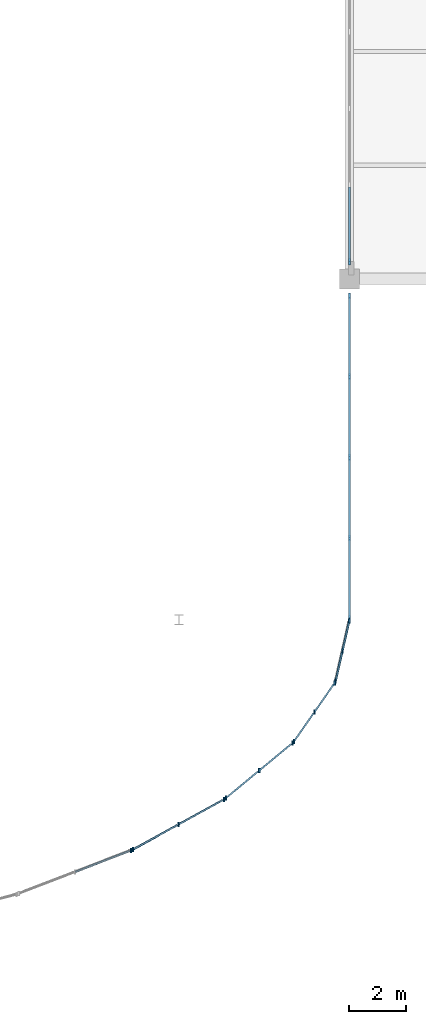
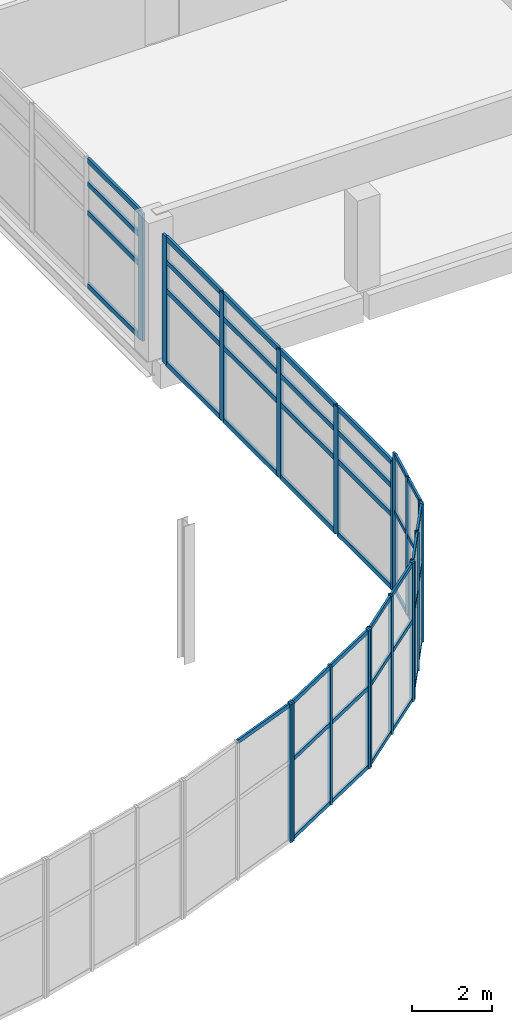
# One storey, part 44 of 89: 64 members, 7 elements without a shape of their own.
"""IFC4 building model written with IfcOpenShell, lengths in metres."""

from ifc_helpers import new_model, si_unit, direction, frame, origin, origin_2d, place, context, subcontext, project, spatial, rectangle, extrude, material, material_profile, profile_set, type_object, element, aggregate, save


model = new_model("IFC4")

# Units and contexts
model_context = context("Model", 3, precision=1e-05, world=origin(), true_north=direction((0.0, 1.0)))
body_context = subcontext(model_context, "Body", "Model", "MODEL_VIEW")
ifc_project = project(units=[si_unit("LENGTHUNIT", "METRE"), si_unit("AREAUNIT", "SQUARE_METRE"), si_unit("VOLUMEUNIT", "CUBIC_METRE"), si_unit("PLANEANGLEUNIT", "RADIAN"), si_unit("MASSUNIT", "GRAM", prefix="KILO"), si_unit("THERMODYNAMICTEMPERATUREUNIT", "KELVIN"), si_unit("POWERUNIT", "WATT")], contexts=[model_context])

# Site, building, storey
site_placement = place(None, origin())
site = spatial("IfcSite", under=ifc_project, at=site_placement, CompositionType="ELEMENT")
building_placement = place(site_placement, origin())
building = spatial("IfcBuilding", under=site, at=building_placement, Name="Solmara Park Aquatics Centre", CompositionType="ELEMENT")
storey_placement = place(building_placement, frame((0.0, 0.0, 5.39990234375)))
storey = spatial("IfcBuildingStorey", under=building, at=storey_placement, Name="L01", CompositionType="ELEMENT", Elevation=5.39990234375)

# Curtain wall, member
ifc_material_1 = material(Name="Anodised Aluminium Curtain Wall Framing", Category="aluminium")
curtain_wall_type_1 = type_object("IfcCurtainWallType", Name="ARC-CW-SYS04", PredefinedType="USERDEFINED", material=ifc_material_1)
curtain_wall_1_placement = place(storey_placement, origin())
curtain_wall_1 = element("IfcCurtainWall", 1, at=curtain_wall_1_placement, inside=storey, type_object=curtain_wall_type_1, Name="Curtain Wall CW-059", ObjectType="CURTAIN WALL", PredefinedType="USERDEFINED")
ifc_material_2 = material(Name="Anodised Aluminium Alloy 6063-T6", Category="aluminium")
ifc_material_profile_1 = material_profile(ifc_material_2, rectangle(XDim=0.06005859375, YDim=0.159912109375, at=origin_2d()), Name="ALU MULLION 60x160")
ifc_profile_set_1 = profile_set([ifc_material_profile_1], Name="Anodised Aluminium Alloy 6063-T6")
member_type_1 = type_object("IfcMemberType", Name="ARC-CWM-60x160", PredefinedType="MULLION", material=ifc_profile_set_1)
member_1_placement = place(storey_placement, frame((154.3125, 4.486572265625, 0.0), z_axis=(0.0, 0.0, 1.0), x_axis=(1.0, 0.0, 0.0)))
member_1 = element("IfcMember", 2, at=member_1_placement, type_object=member_type_1, Name="CW-059 mullion 3", PredefinedType="MULLION", context=body_context, shape_type="SweptSolid", body=[
    extrude(rectangle(XDim=0.06005859375, YDim=0.159912109375, at=origin_2d()), origin(), (0.0, 0.0, 1.0), 4.2001953125),
])

# Curtain wall, members
curtain_wall_2_placement = place(storey_placement, origin())
curtain_wall_2 = element("IfcCurtainWall", 3, at=curtain_wall_2_placement, inside=storey, type_object=curtain_wall_type_1, Name="Curtain Wall CW-062", ObjectType="CURTAIN WALL", PredefinedType="USERDEFINED")
member_2_placement = place(storey_placement, frame((154.384765625, 4.520263671875, 0.0), z_axis=(0.0, 0.0, 1.0), x_axis=(1.0, 0.0, 0.0)))
member_2 = element("IfcMember", 4, at=member_2_placement, type_object=member_type_1, Name="CW-062 mullion 1", PredefinedType="MULLION", context=body_context, shape_type="SweptSolid", body=[
    extrude(rectangle(XDim=0.06005859375, YDim=0.159912109375, at=origin_2d()), origin(), (0.0, 0.0, 1.0), 4.2001953125),
])
member_3_placement = place(storey_placement, frame((155.984375, 5.400390625, 0.0), z_axis=(0.0, 0.0, 1.0), x_axis=(1.0, 0.0, 0.0)))
member_3 = element("IfcMember", 5, at=member_3_placement, type_object=member_type_1, Name="CW-062 mullion 2", PredefinedType="MULLION", context=body_context, shape_type="SweptSolid", body=[
    extrude(rectangle(XDim=0.06005859375, YDim=0.159912109375, at=origin_2d()), origin(), (0.0, 0.0, 1.0), 4.2001953125),
])
member_4_placement = place(storey_placement, frame((157.583984375, 6.28076171875, 0.0), z_axis=(0.0, 0.0, 1.0), x_axis=(1.0, 0.0, 0.0)))
member_4 = element("IfcMember", 6, at=member_4_placement, type_object=member_type_1, Name="CW-062 mullion 3", PredefinedType="MULLION", context=body_context, shape_type="SweptSolid", body=[
    extrude(rectangle(XDim=0.06005859375, YDim=0.159912109375, at=origin_2d()), origin(), (0.0, 0.0, 1.0), 4.2001953125),
])

curtain_wall_3_placement = place(storey_placement, origin())
curtain_wall_3 = element("IfcCurtainWall", 7, at=curtain_wall_3_placement, inside=storey, type_object=curtain_wall_type_1, Name="Curtain Wall CW-065", ObjectType="CURTAIN WALL", PredefinedType="USERDEFINED")
member_5_placement = place(storey_placement, frame((157.64990234375, 6.325439453125, 0.0), z_axis=(0.0, 0.0, 1.0), x_axis=(1.0, 0.0, 0.0)))
member_5 = element("IfcMember", 8, at=member_5_placement, type_object=member_type_1, Name="CW-065 mullion 1", PredefinedType="MULLION", context=body_context, shape_type="SweptSolid", body=[
    extrude(rectangle(XDim=0.06005859375, YDim=0.159912109375, at=origin_2d()), origin(), (0.0, 0.0, 1.0), 4.2001953125),
])
member_6_placement = place(storey_placement, frame((158.823486328125, 7.29541015625, 0.0), z_axis=(0.0, 0.0, 1.0), x_axis=(1.0, 0.0, 0.0)))
member_6 = element("IfcMember", 9, at=member_6_placement, type_object=member_type_1, Name="CW-065 mullion 2", PredefinedType="MULLION", context=body_context, shape_type="SweptSolid", body=[
    extrude(rectangle(XDim=0.06005859375, YDim=0.159912109375, at=origin_2d()), origin(), (0.0, 0.0, 1.0), 4.2001953125),
])
member_7_placement = place(storey_placement, frame((159.9970703125, 8.264892578125, 0.0), z_axis=(0.0, 0.0, 1.0), x_axis=(1.0, 0.0, 0.0)))
member_7 = element("IfcMember", 10, at=member_7_placement, type_object=member_type_1, Name="CW-065 mullion 3", PredefinedType="MULLION", context=body_context, shape_type="SweptSolid", body=[
    extrude(rectangle(XDim=0.06005859375, YDim=0.159912109375, at=origin_2d()), origin(), (0.0, 0.0, 1.0), 4.2001953125),
])

curtain_wall_4_placement = place(storey_placement, origin())
curtain_wall_4 = element("IfcCurtainWall", 11, at=curtain_wall_4_placement, inside=storey, type_object=curtain_wall_type_1, Name="Curtain Wall CW-068", ObjectType="CURTAIN WALL", PredefinedType="USERDEFINED")
member_8_placement = place(storey_placement, frame((160.05078125, 8.3232421875, 0.0), z_axis=(0.0, 0.0, 1.0), x_axis=(1.0, 0.0, 0.0)))
member_8 = element("IfcMember", 12, at=member_8_placement, type_object=member_type_1, Name="CW-068 mullion 1", PredefinedType="MULLION", context=body_context, shape_type="SweptSolid", body=[
    extrude(rectangle(XDim=0.06005859375, YDim=0.159912109375, at=origin_2d()), origin(), (0.0, 0.0, 1.0), 4.2001953125),
])
member_9_placement = place(storey_placement, frame((160.765380859375, 9.351318359375, 0.0), z_axis=(0.0, 0.0, 1.0), x_axis=(1.0, 0.0, 0.0)))
member_9 = element("IfcMember", 13, at=member_9_placement, type_object=member_type_1, Name="CW-068 mullion 2", PredefinedType="MULLION", context=body_context, shape_type="SweptSolid", body=[
    extrude(rectangle(XDim=0.06005859375, YDim=0.159912109375, at=origin_2d()), origin(), (0.0, 0.0, 1.0), 4.2001953125),
])
member_10_placement = place(storey_placement, frame((161.48046875, 10.379150390625, 0.0), z_axis=(0.0, 0.0, 1.0), x_axis=(1.0, 0.0, 0.0)))
member_10 = element("IfcMember", 14, at=member_10_placement, type_object=member_type_1, Name="CW-068 mullion 3", PredefinedType="MULLION", context=body_context, shape_type="SweptSolid", body=[
    extrude(rectangle(XDim=0.06005859375, YDim=0.159912109375, at=origin_2d()), origin(), (0.0, 0.0, 1.0), 4.2001953125),
])

curtain_wall_5_placement = place(storey_placement, origin())
curtain_wall_5 = element("IfcCurtainWall", 15, at=curtain_wall_5_placement, inside=storey, type_object=curtain_wall_type_1, Name="Curtain Wall CW-071", ObjectType="CURTAIN WALL", PredefinedType="USERDEFINED")
member_11_placement = place(storey_placement, frame((161.51220703125, 10.450927734375, 0.0), z_axis=(0.0, 0.0, 1.0), x_axis=(1.0, 0.0, 0.0)))
member_11 = element("IfcMember", 16, at=member_11_placement, type_object=member_type_1, Name="CW-071 mullion 1", PredefinedType="MULLION", context=body_context, shape_type="SweptSolid", body=[
    extrude(rectangle(XDim=0.06005859375, YDim=0.159912109375, at=origin_2d()), origin(), (0.0, 0.0, 1.0), 4.2001953125),
])
member_12_placement = place(storey_placement, frame((161.751708984375, 11.506103515625, 0.0), z_axis=(0.0, 0.0, 1.0), x_axis=(1.0, 0.0, 0.0)))
member_12 = element("IfcMember", 17, at=member_12_placement, type_object=member_type_1, Name="CW-071 mullion 2", PredefinedType="MULLION", context=body_context, shape_type="SweptSolid", body=[
    extrude(rectangle(XDim=0.06005859375, YDim=0.159912109375, at=origin_2d()), origin(), (0.0, 0.0, 1.0), 4.2001953125),
])
member_13_placement = place(storey_placement, frame((161.9912109375, 12.56103515625, 0.0), z_axis=(0.0, 0.0, 1.0), x_axis=(1.0, 0.0, 0.0)))
member_13 = element("IfcMember", 18, at=member_13_placement, type_object=member_type_1, Name="CW-071 mullion 3", PredefinedType="MULLION", context=body_context, shape_type="SweptSolid", body=[
    extrude(rectangle(XDim=0.06005859375, YDim=0.159912109375, at=origin_2d()), origin(), (0.0, 0.0, 1.0), 4.2001953125),
])

curtain_wall_type_2 = type_object("IfcCurtainWallType", Name="ARC-CW-SYS03", PredefinedType="USERDEFINED", material=ifc_material_1)
curtain_wall_6_placement = place(storey_placement, origin())
curtain_wall_6 = element("IfcCurtainWall", 19, at=curtain_wall_6_placement, inside=storey, type_object=curtain_wall_type_2, Name="Curtain Wall CW-075", ObjectType="CURTAIN WALL", PredefinedType="USERDEFINED")
ifc_material_profile_2 = material_profile(ifc_material_2, rectangle(XDim=0.074951171875, YDim=0.219970703125, at=origin_2d()), Name="ALU MULLION 75x220")
ifc_profile_set_2 = profile_set([ifc_material_profile_2], Name="Anodised Aluminium Alloy 6063-T6")
member_type_2 = type_object("IfcMemberType", Name="ARC-CWM-75x220", PredefinedType="MULLION", material=ifc_profile_set_2)
member_14_placement = place(storey_placement, frame((162.0, 12.639892578125, 0.0), z_axis=(0.0, 0.0, 1.0), x_axis=(1.0, 0.0, 0.0)))
member_14 = element("IfcMember", 20, at=member_14_placement, type_object=member_type_2, Name="CW-075 mullion 1", PredefinedType="MULLION", context=body_context, shape_type="SweptSolid", body=[
    extrude(rectangle(XDim=0.074951171875, YDim=0.219970703125, at=origin_2d()), origin(), (0.0, 0.0, 1.0), 3.880126953125),
])
member_15_placement = place(storey_placement, frame((162.0, 15.47998046875, 0.0), z_axis=(0.0, 0.0, 1.0), x_axis=(1.0, 0.0, 0.0)))
member_15 = element("IfcMember", 21, at=member_15_placement, type_object=member_type_2, Name="CW-075 mullion 2", PredefinedType="MULLION", context=body_context, shape_type="SweptSolid", body=[
    extrude(rectangle(XDim=0.074951171875, YDim=0.219970703125, at=origin_2d()), origin(), (0.0, 0.0, 1.0), 3.880126953125),
])
member_16_placement = place(storey_placement, frame((162.0, 18.320068359375, 0.0), z_axis=(0.0, 0.0, 1.0), x_axis=(1.0, 0.0, 0.0)))
member_16 = element("IfcMember", 22, at=member_16_placement, type_object=member_type_2, Name="CW-075 mullion 3", PredefinedType="MULLION", context=body_context, shape_type="SweptSolid", body=[
    extrude(rectangle(XDim=0.074951171875, YDim=0.219970703125, at=origin_2d()), origin(), (0.0, 0.0, 1.0), 3.880126953125),
])
member_17_placement = place(storey_placement, frame((162.0, 21.159912109375, 0.0), z_axis=(0.0, 0.0, 1.0), x_axis=(1.0, 0.0, 0.0)))
member_17 = element("IfcMember", 23, at=member_17_placement, type_object=member_type_2, Name="CW-075 mullion 4", PredefinedType="MULLION", context=body_context, shape_type="SweptSolid", body=[
    extrude(rectangle(XDim=0.074951171875, YDim=0.219970703125, at=origin_2d()), origin(), (0.0, 0.0, 1.0), 3.880126953125),
])
member_18_placement = place(storey_placement, frame((162.0, 24.0, 0.0), z_axis=(0.0, 0.0, 1.0), x_axis=(1.0, 0.0, 0.0)))
member_18 = element("IfcMember", 24, at=member_18_placement, type_object=member_type_2, Name="CW-075 mullion 5", PredefinedType="MULLION", context=body_context, shape_type="SweptSolid", body=[
    extrude(rectangle(XDim=0.074951171875, YDim=0.219970703125, at=origin_2d()), origin(), (0.0, 0.0, 1.0), 3.880126953125),
])

# Curtain wall, member
curtain_wall_7_placement = place(storey_placement, origin())
curtain_wall_7 = element("IfcCurtainWall", 25, at=curtain_wall_7_placement, inside=storey, type_object=curtain_wall_type_2, Name="Curtain Wall CW-078", ObjectType="CURTAIN WALL", PredefinedType="USERDEFINED")
member_19_placement = place(storey_placement, frame((162.0, 25.199951171875, 0.0), z_axis=(0.0, 0.0, 1.0), x_axis=(1.0, 0.0, 0.0)))
member_19 = element("IfcMember", 26, at=member_19_placement, type_object=member_type_2, Name="CW-078 mullion 1", PredefinedType="MULLION", context=body_context, shape_type="SweptSolid", body=[
    extrude(rectangle(XDim=0.074951171875, YDim=0.219970703125, at=origin_2d()), origin(), (0.0, 0.0, 1.0), 3.880126953125),
])

# Member
ifc_material_profile_3 = material_profile(ifc_material_2, rectangle(XDim=0.06005859375, YDim=0.1201171875, at=origin_2d()), Name="ALU TRANSOM 60x120")
ifc_profile_set_3 = profile_set([ifc_material_profile_3], Name="Anodised Aluminium Alloy 6063-T6")
member_type_3 = type_object("IfcMemberType", Name="ARC-CWT-60x120", PredefinedType="USERDEFINED", material=ifc_profile_set_3)
member_20_placement = place(storey_placement, frame((152.35302734375, 3.7314453125, 4.16015625), z_axis=(0.933123317616, 0.359556496424, 0.0), x_axis=(-0.359556496424, 0.933123317616, 0.0)))
member_20 = element("IfcMember", 27, at=member_20_placement, type_object=member_type_3, Name="CW-059 transom 6", ObjectType="TRANSOM", PredefinedType="USERDEFINED", context=body_context, shape_type="SweptSolid", body=[
    extrude(rectangle(XDim=0.06005859375, YDim=0.1201171875, at=origin_2d()), origin(), (0.0, 0.0, 1.0), 2.039794921875),
])

aggregate(curtain_wall_1, [member_1, member_20])

member_21_placement = place(storey_placement, frame((154.40234375, 4.52978515625, 0.0400390625), z_axis=(0.87608301617, 0.482160293656, 0.0), x_axis=(-0.482160293656, 0.87608301617, 0.0)))
member_21 = element("IfcMember", 28, at=member_21_placement, type_object=member_type_3, Name="CW-062 transom 1", ObjectType="TRANSOM", PredefinedType="USERDEFINED", context=body_context, shape_type="SweptSolid", body=[
    extrude(rectangle(XDim=0.06005859375, YDim=0.1201171875, at=origin_2d()), origin(), (0.0, 0.0, 1.0), 1.745849609375),
])

member_22_placement = place(storey_placement, frame((154.40234375, 4.52978515625, 2.43603515625), z_axis=(0.87608301617, 0.482160293656, 0.0), x_axis=(-0.482160293656, 0.87608301617, 0.0)))
member_22 = element("IfcMember", 29, at=member_22_placement, type_object=member_type_3, Name="CW-062 transom 2", ObjectType="TRANSOM", PredefinedType="USERDEFINED", context=body_context, shape_type="SweptSolid", body=[
    extrude(rectangle(XDim=0.06005859375, YDim=0.1201171875, at=origin_2d()), origin(), (0.0, 0.0, 1.0), 1.745849609375),
])

member_23_placement = place(storey_placement, frame((154.40234375, 4.52978515625, 4.16015625), z_axis=(0.87608301617, 0.482160293656, 0.0), x_axis=(-0.482160293656, 0.87608301617, 0.0)))
member_23 = element("IfcMember", 30, at=member_23_placement, type_object=member_type_3, Name="CW-062 transom 3", ObjectType="TRANSOM", PredefinedType="USERDEFINED", context=body_context, shape_type="SweptSolid", body=[
    extrude(rectangle(XDim=0.06005859375, YDim=0.1201171875, at=origin_2d()), origin(), (0.0, 0.0, 1.0), 1.745849609375),
])

member_24_placement = place(storey_placement, frame((156.001953125, 5.41015625, 0.0400390625), z_axis=(0.87614208275, 0.482052954388, 0.0), x_axis=(-0.482052954388, 0.87614208275, 0.0)))
member_24 = element("IfcMember", 31, at=member_24_placement, type_object=member_type_3, Name="CW-062 transom 4", ObjectType="TRANSOM", PredefinedType="USERDEFINED", context=body_context, shape_type="SweptSolid", body=[
    extrude(rectangle(XDim=0.06005859375, YDim=0.1201171875, at=origin_2d()), origin(), (0.0, 0.0, 1.0), 1.745849609375),
])

member_25_placement = place(storey_placement, frame((156.001953125, 5.41015625, 2.43603515625), z_axis=(0.87614208275, 0.482052954388, 0.0), x_axis=(-0.482052954388, 0.87614208275, 0.0)))
member_25 = element("IfcMember", 32, at=member_25_placement, type_object=member_type_3, Name="CW-062 transom 5", ObjectType="TRANSOM", PredefinedType="USERDEFINED", context=body_context, shape_type="SweptSolid", body=[
    extrude(rectangle(XDim=0.06005859375, YDim=0.1201171875, at=origin_2d()), origin(), (0.0, 0.0, 1.0), 1.745849609375),
])

member_26_placement = place(storey_placement, frame((156.001953125, 5.41015625, 4.16015625), z_axis=(0.87614208275, 0.482052954388, 0.0), x_axis=(-0.482052954388, 0.87614208275, 0.0)))
member_26 = element("IfcMember", 33, at=member_26_placement, type_object=member_type_3, Name="CW-062 transom 6", ObjectType="TRANSOM", PredefinedType="USERDEFINED", context=body_context, shape_type="SweptSolid", body=[
    extrude(rectangle(XDim=0.06005859375, YDim=0.1201171875, at=origin_2d()), origin(), (0.0, 0.0, 1.0), 1.745849609375),
])

aggregate(curtain_wall_2, [member_2, member_3, member_4, member_21, member_22, member_23, member_24, member_25, member_26])

member_27_placement = place(storey_placement, frame((157.665283203125, 6.338134765625, 0.0400390625), z_axis=(0.770795511381, 0.637082631717, 0.0), x_axis=(-0.637082631717, 0.770795511381, 0.0)))
member_27 = element("IfcMember", 34, at=member_27_placement, type_object=member_type_3, Name="CW-065 transom 1", ObjectType="TRANSOM", PredefinedType="USERDEFINED", context=body_context, shape_type="SweptSolid", body=[
    extrude(rectangle(XDim=0.06005859375, YDim=0.1201171875, at=origin_2d()), origin(), (0.0, 0.0, 1.0), 1.4423828125),
])

member_28_placement = place(storey_placement, frame((157.665283203125, 6.338134765625, 2.43603515625), z_axis=(0.770795511381, 0.637082631717, 0.0), x_axis=(-0.637082631717, 0.770795511381, 0.0)))
member_28 = element("IfcMember", 35, at=member_28_placement, type_object=member_type_3, Name="CW-065 transom 2", ObjectType="TRANSOM", PredefinedType="USERDEFINED", context=body_context, shape_type="SweptSolid", body=[
    extrude(rectangle(XDim=0.06005859375, YDim=0.1201171875, at=origin_2d()), origin(), (0.0, 0.0, 1.0), 1.4423828125),
])

member_29_placement = place(storey_placement, frame((157.665283203125, 6.338134765625, 4.16015625), z_axis=(0.770795511381, 0.637082631717, 0.0), x_axis=(-0.637082631717, 0.770795511381, 0.0)))
member_29 = element("IfcMember", 36, at=member_29_placement, type_object=member_type_3, Name="CW-065 transom 3", ObjectType="TRANSOM", PredefinedType="USERDEFINED", context=body_context, shape_type="SweptSolid", body=[
    extrude(rectangle(XDim=0.06005859375, YDim=0.1201171875, at=origin_2d()), origin(), (0.0, 0.0, 1.0), 1.4423828125),
])

member_30_placement = place(storey_placement, frame((158.8388671875, 7.30810546875, 0.0400390625), z_axis=(0.770878629105, 0.636982055626, 0.0), x_axis=(-0.636982055626, 0.770878629105, 0.0)))
member_30 = element("IfcMember", 37, at=member_30_placement, type_object=member_type_3, Name="CW-065 transom 4", ObjectType="TRANSOM", PredefinedType="USERDEFINED", context=body_context, shape_type="SweptSolid", body=[
    extrude(rectangle(XDim=0.06005859375, YDim=0.1201171875, at=origin_2d()), origin(), (0.0, 0.0, 1.0), 1.4423828125),
])

member_31_placement = place(storey_placement, frame((158.8388671875, 7.30810546875, 2.43603515625), z_axis=(0.770878629105, 0.636982055626, 0.0), x_axis=(-0.636982055626, 0.770878629105, 0.0)))
member_31 = element("IfcMember", 38, at=member_31_placement, type_object=member_type_3, Name="CW-065 transom 5", ObjectType="TRANSOM", PredefinedType="USERDEFINED", context=body_context, shape_type="SweptSolid", body=[
    extrude(rectangle(XDim=0.06005859375, YDim=0.1201171875, at=origin_2d()), origin(), (0.0, 0.0, 1.0), 1.4423828125),
])

member_32_placement = place(storey_placement, frame((158.8388671875, 7.30810546875, 4.16015625), z_axis=(0.770878629105, 0.636982055626, 0.0), x_axis=(-0.636982055626, 0.770878629105, 0.0)))
member_32 = element("IfcMember", 39, at=member_32_placement, type_object=member_type_3, Name="CW-065 transom 6", ObjectType="TRANSOM", PredefinedType="USERDEFINED", context=body_context, shape_type="SweptSolid", body=[
    extrude(rectangle(XDim=0.06005859375, YDim=0.1201171875, at=origin_2d()), origin(), (0.0, 0.0, 1.0), 1.4423828125),
])

aggregate(curtain_wall_3, [member_5, member_6, member_7, member_27, member_28, member_29, member_30, member_31, member_32])

member_33_placement = place(storey_placement, frame((160.062255859375, 8.33984375, 0.0400390625), z_axis=(0.570844718132, 0.821058041664, 0.0), x_axis=(-0.821058041664, 0.570844718132, 0.0)))
member_33 = element("IfcMember", 40, at=member_33_placement, type_object=member_type_3, Name="CW-068 transom 1", ObjectType="TRANSOM", PredefinedType="USERDEFINED", context=body_context, shape_type="SweptSolid", body=[
    extrude(rectangle(XDim=0.06005859375, YDim=0.1201171875, at=origin_2d()), origin(), (0.0, 0.0, 1.0), 1.171875),
])

member_34_placement = place(storey_placement, frame((160.062255859375, 8.33984375, 2.43603515625), z_axis=(0.570844718132, 0.821058041664, 0.0), x_axis=(-0.821058041664, 0.570844718132, 0.0)))
member_34 = element("IfcMember", 41, at=member_34_placement, type_object=member_type_3, Name="CW-068 transom 2", ObjectType="TRANSOM", PredefinedType="USERDEFINED", context=body_context, shape_type="SweptSolid", body=[
    extrude(rectangle(XDim=0.06005859375, YDim=0.1201171875, at=origin_2d()), origin(), (0.0, 0.0, 1.0), 1.171875),
])

member_35_placement = place(storey_placement, frame((160.062255859375, 8.33984375, 4.16015625), z_axis=(0.570844718132, 0.821058041664, 0.0), x_axis=(-0.821058041664, 0.570844718132, 0.0)))
member_35 = element("IfcMember", 42, at=member_35_placement, type_object=member_type_3, Name="CW-068 transom 3", ObjectType="TRANSOM", PredefinedType="USERDEFINED", context=body_context, shape_type="SweptSolid", body=[
    extrude(rectangle(XDim=0.06005859375, YDim=0.1201171875, at=origin_2d()), origin(), (0.0, 0.0, 1.0), 1.171875),
])

member_36_placement = place(storey_placement, frame((160.777099609375, 9.36767578125, 0.0400390625), z_axis=(0.570844718132, 0.821058041664, 0.0), x_axis=(-0.821058041664, 0.570844718132, 0.0)))
member_36 = element("IfcMember", 43, at=member_36_placement, type_object=member_type_3, Name="CW-068 transom 4", ObjectType="TRANSOM", PredefinedType="USERDEFINED", context=body_context, shape_type="SweptSolid", body=[
    extrude(rectangle(XDim=0.06005859375, YDim=0.1201171875, at=origin_2d()), origin(), (0.0, 0.0, 1.0), 1.171875),
])

member_37_placement = place(storey_placement, frame((160.777099609375, 9.36767578125, 2.43603515625), z_axis=(0.570844718132, 0.821058041664, 0.0), x_axis=(-0.821058041664, 0.570844718132, 0.0)))
member_37 = element("IfcMember", 44, at=member_37_placement, type_object=member_type_3, Name="CW-068 transom 5", ObjectType="TRANSOM", PredefinedType="USERDEFINED", context=body_context, shape_type="SweptSolid", body=[
    extrude(rectangle(XDim=0.06005859375, YDim=0.1201171875, at=origin_2d()), origin(), (0.0, 0.0, 1.0), 1.171875),
])

member_38_placement = place(storey_placement, frame((160.777099609375, 9.36767578125, 4.16015625), z_axis=(0.570844718132, 0.821058041664, 0.0), x_axis=(-0.821058041664, 0.570844718132, 0.0)))
member_38 = element("IfcMember", 45, at=member_38_placement, type_object=member_type_3, Name="CW-068 transom 6", ObjectType="TRANSOM", PredefinedType="USERDEFINED", context=body_context, shape_type="SweptSolid", body=[
    extrude(rectangle(XDim=0.06005859375, YDim=0.1201171875, at=origin_2d()), origin(), (0.0, 0.0, 1.0), 1.171875),
])

aggregate(curtain_wall_4, [member_8, member_9, member_10, member_33, member_34, member_35, member_36, member_37, member_38])

member_39_placement = place(storey_placement, frame((161.5166015625, 10.470458984375, 0.0400390625), z_axis=(0.221262986653, 0.975214176854, 0.0), x_axis=(-0.975214176854, 0.221262986653, 0.0)))
member_39 = element("IfcMember", 46, at=member_39_placement, type_object=member_type_3, Name="CW-071 transom 1", ObjectType="TRANSOM", PredefinedType="USERDEFINED", context=body_context, shape_type="SweptSolid", body=[
    extrude(rectangle(XDim=0.06005859375, YDim=0.1201171875, at=origin_2d()), origin(), (0.0, 0.0, 1.0), 1.001953125),
])

member_40_placement = place(storey_placement, frame((161.5166015625, 10.470458984375, 2.43603515625), z_axis=(0.221262986653, 0.975214176854, 0.0), x_axis=(-0.975214176854, 0.221262986653, 0.0)))
member_40 = element("IfcMember", 47, at=member_40_placement, type_object=member_type_3, Name="CW-071 transom 2", ObjectType="TRANSOM", PredefinedType="USERDEFINED", context=body_context, shape_type="SweptSolid", body=[
    extrude(rectangle(XDim=0.06005859375, YDim=0.1201171875, at=origin_2d()), origin(), (0.0, 0.0, 1.0), 1.001953125),
])

member_41_placement = place(storey_placement, frame((161.5166015625, 10.470458984375, 4.16015625), z_axis=(0.221262986653, 0.975214176854, 0.0), x_axis=(-0.975214176854, 0.221262986653, 0.0)))
member_41 = element("IfcMember", 48, at=member_41_placement, type_object=member_type_3, Name="CW-071 transom 3", ObjectType="TRANSOM", PredefinedType="USERDEFINED", context=body_context, shape_type="SweptSolid", body=[
    extrude(rectangle(XDim=0.06005859375, YDim=0.1201171875, at=origin_2d()), origin(), (0.0, 0.0, 1.0), 1.001953125),
])

member_42_placement = place(storey_placement, frame((161.756103515625, 11.525390625, 0.0400390625), z_axis=(0.221262986653, 0.975214176854, 0.0), x_axis=(-0.975214176854, 0.221262986653, 0.0)))
member_42 = element("IfcMember", 49, at=member_42_placement, type_object=member_type_3, Name="CW-071 transom 4", ObjectType="TRANSOM", PredefinedType="USERDEFINED", context=body_context, shape_type="SweptSolid", body=[
    extrude(rectangle(XDim=0.06005859375, YDim=0.1201171875, at=origin_2d()), origin(), (0.0, 0.0, 1.0), 1.001953125),
])

member_43_placement = place(storey_placement, frame((161.756103515625, 11.525390625, 2.43603515625), z_axis=(0.221262986653, 0.975214176854, 0.0), x_axis=(-0.975214176854, 0.221262986653, 0.0)))
member_43 = element("IfcMember", 50, at=member_43_placement, type_object=member_type_3, Name="CW-071 transom 5", ObjectType="TRANSOM", PredefinedType="USERDEFINED", context=body_context, shape_type="SweptSolid", body=[
    extrude(rectangle(XDim=0.06005859375, YDim=0.1201171875, at=origin_2d()), origin(), (0.0, 0.0, 1.0), 1.001953125),
])

member_44_placement = place(storey_placement, frame((161.756103515625, 11.525390625, 4.16015625), z_axis=(0.221262986653, 0.975214176854, 0.0), x_axis=(-0.975214176854, 0.221262986653, 0.0)))
member_44 = element("IfcMember", 51, at=member_44_placement, type_object=member_type_3, Name="CW-071 transom 6", ObjectType="TRANSOM", PredefinedType="USERDEFINED", context=body_context, shape_type="SweptSolid", body=[
    extrude(rectangle(XDim=0.06005859375, YDim=0.1201171875, at=origin_2d()), origin(), (0.0, 0.0, 1.0), 1.001953125),
])

aggregate(curtain_wall_5, [member_11, member_12, member_13, member_39, member_40, member_41, member_42, member_43, member_44])

ifc_material_profile_4 = material_profile(ifc_material_2, rectangle(XDim=0.074951171875, YDim=0.14990234375, at=origin_2d()), Name="ALU TRANSOM 75x150")
ifc_profile_set_4 = profile_set([ifc_material_profile_4], Name="Anodised Aluminium Alloy 6063-T6")
member_type_4 = type_object("IfcMemberType", Name="ARC-CWT-75x150", PredefinedType="USERDEFINED", material=ifc_profile_set_4)
member_45_placement = place(storey_placement, frame((162.0, 12.659912109375, 0.0400390625), z_axis=(0.0, 1.0, 0.0), x_axis=(-1.0, 0.0, 0.0)))
member_45 = element("IfcMember", 52, at=member_45_placement, type_object=member_type_4, Name="CW-075 transom 1", ObjectType="TRANSOM", PredefinedType="USERDEFINED", context=body_context, shape_type="SweptSolid", body=[
    extrude(rectangle(XDim=0.074951171875, YDim=0.14990234375, at=origin_2d()), origin(), (0.0, 0.0, 1.0), 2.760009765625),
])

member_46_placement = place(storey_placement, frame((162.0, 12.659912109375, 2.25048828125), z_axis=(0.0, 1.0, 0.0), x_axis=(-1.0, 0.0, 0.0)))
member_46 = element("IfcMember", 53, at=member_46_placement, type_object=member_type_4, Name="CW-075 transom 2", ObjectType="TRANSOM", PredefinedType="USERDEFINED", context=body_context, shape_type="SweptSolid", body=[
    extrude(rectangle(XDim=0.074951171875, YDim=0.14990234375, at=origin_2d()), origin(), (0.0, 0.0, 1.0), 2.760009765625),
])

member_47_placement = place(storey_placement, frame((162.0, 12.659912109375, 3.130126953125), z_axis=(0.0, 1.0, 0.0), x_axis=(-1.0, 0.0, 0.0)))
member_47 = element("IfcMember", 54, at=member_47_placement, type_object=member_type_4, Name="CW-075 transom 3", ObjectType="TRANSOM", PredefinedType="USERDEFINED", context=body_context, shape_type="SweptSolid", body=[
    extrude(rectangle(XDim=0.074951171875, YDim=0.14990234375, at=origin_2d()), origin(), (0.0, 0.0, 1.0), 2.760009765625),
])

member_48_placement = place(storey_placement, frame((162.0, 12.659912109375, 3.840087890625), z_axis=(0.0, 1.0, 0.0), x_axis=(-1.0, 0.0, 0.0)))
member_48 = element("IfcMember", 55, at=member_48_placement, type_object=member_type_4, Name="CW-075 transom 4", ObjectType="TRANSOM", PredefinedType="USERDEFINED", context=body_context, shape_type="SweptSolid", body=[
    extrude(rectangle(XDim=0.074951171875, YDim=0.14990234375, at=origin_2d()), origin(), (0.0, 0.0, 1.0), 2.760009765625),
])

member_49_placement = place(storey_placement, frame((162.0, 15.5, 0.0400390625), z_axis=(0.0, 1.0, 0.0), x_axis=(-1.0, 0.0, 0.0)))
member_49 = element("IfcMember", 56, at=member_49_placement, type_object=member_type_4, Name="CW-075 transom 5", ObjectType="TRANSOM", PredefinedType="USERDEFINED", context=body_context, shape_type="SweptSolid", body=[
    extrude(rectangle(XDim=0.074951171875, YDim=0.14990234375, at=origin_2d()), origin(), (0.0, 0.0, 1.0), 2.760009765625),
])

member_50_placement = place(storey_placement, frame((162.0, 15.5, 2.25048828125), z_axis=(0.0, 1.0, 0.0), x_axis=(-1.0, 0.0, 0.0)))
member_50 = element("IfcMember", 57, at=member_50_placement, type_object=member_type_4, Name="CW-075 transom 6", ObjectType="TRANSOM", PredefinedType="USERDEFINED", context=body_context, shape_type="SweptSolid", body=[
    extrude(rectangle(XDim=0.074951171875, YDim=0.14990234375, at=origin_2d()), origin(), (0.0, 0.0, 1.0), 2.760009765625),
])

member_51_placement = place(storey_placement, frame((162.0, 15.5, 3.130126953125), z_axis=(0.0, 1.0, 0.0), x_axis=(-1.0, 0.0, 0.0)))
member_51 = element("IfcMember", 58, at=member_51_placement, type_object=member_type_4, Name="CW-075 transom 7", ObjectType="TRANSOM", PredefinedType="USERDEFINED", context=body_context, shape_type="SweptSolid", body=[
    extrude(rectangle(XDim=0.074951171875, YDim=0.14990234375, at=origin_2d()), origin(), (0.0, 0.0, 1.0), 2.760009765625),
])

member_52_placement = place(storey_placement, frame((162.0, 15.5, 3.840087890625), z_axis=(0.0, 1.0, 0.0), x_axis=(-1.0, 0.0, 0.0)))
member_52 = element("IfcMember", 59, at=member_52_placement, type_object=member_type_4, Name="CW-075 transom 8", ObjectType="TRANSOM", PredefinedType="USERDEFINED", context=body_context, shape_type="SweptSolid", body=[
    extrude(rectangle(XDim=0.074951171875, YDim=0.14990234375, at=origin_2d()), origin(), (0.0, 0.0, 1.0), 2.760009765625),
])

member_53_placement = place(storey_placement, frame((162.0, 18.340087890625, 0.0400390625), z_axis=(0.0, 1.0, 0.0), x_axis=(-1.0, 0.0, 0.0)))
member_53 = element("IfcMember", 60, at=member_53_placement, type_object=member_type_4, Name="CW-075 transom 9", ObjectType="TRANSOM", PredefinedType="USERDEFINED", context=body_context, shape_type="SweptSolid", body=[
    extrude(rectangle(XDim=0.074951171875, YDim=0.14990234375, at=origin_2d()), origin(), (0.0, 0.0, 1.0), 2.760009765625),
])

member_54_placement = place(storey_placement, frame((162.0, 18.340087890625, 2.25048828125), z_axis=(0.0, 1.0, 0.0), x_axis=(-1.0, 0.0, 0.0)))
member_54 = element("IfcMember", 61, at=member_54_placement, type_object=member_type_4, Name="CW-075 transom 10", ObjectType="TRANSOM", PredefinedType="USERDEFINED", context=body_context, shape_type="SweptSolid", body=[
    extrude(rectangle(XDim=0.074951171875, YDim=0.14990234375, at=origin_2d()), origin(), (0.0, 0.0, 1.0), 2.760009765625),
])

member_55_placement = place(storey_placement, frame((162.0, 18.340087890625, 3.130126953125), z_axis=(0.0, 1.0, 0.0), x_axis=(-1.0, 0.0, 0.0)))
member_55 = element("IfcMember", 62, at=member_55_placement, type_object=member_type_4, Name="CW-075 transom 11", ObjectType="TRANSOM", PredefinedType="USERDEFINED", context=body_context, shape_type="SweptSolid", body=[
    extrude(rectangle(XDim=0.074951171875, YDim=0.14990234375, at=origin_2d()), origin(), (0.0, 0.0, 1.0), 2.760009765625),
])

member_56_placement = place(storey_placement, frame((162.0, 18.340087890625, 3.840087890625), z_axis=(0.0, 1.0, 0.0), x_axis=(-1.0, 0.0, 0.0)))
member_56 = element("IfcMember", 63, at=member_56_placement, type_object=member_type_4, Name="CW-075 transom 12", ObjectType="TRANSOM", PredefinedType="USERDEFINED", context=body_context, shape_type="SweptSolid", body=[
    extrude(rectangle(XDim=0.074951171875, YDim=0.14990234375, at=origin_2d()), origin(), (0.0, 0.0, 1.0), 2.760009765625),
])

member_57_placement = place(storey_placement, frame((162.0, 21.179931640625, 0.0400390625), z_axis=(0.0, 1.0, 0.0), x_axis=(-1.0, 0.0, 0.0)))
member_57 = element("IfcMember", 64, at=member_57_placement, type_object=member_type_4, Name="CW-075 transom 13", ObjectType="TRANSOM", PredefinedType="USERDEFINED", context=body_context, shape_type="SweptSolid", body=[
    extrude(rectangle(XDim=0.074951171875, YDim=0.14990234375, at=origin_2d()), origin(), (0.0, 0.0, 1.0), 2.760009765625),
])

member_58_placement = place(storey_placement, frame((162.0, 21.179931640625, 2.25048828125), z_axis=(0.0, 1.0, 0.0), x_axis=(-1.0, 0.0, 0.0)))
member_58 = element("IfcMember", 65, at=member_58_placement, type_object=member_type_4, Name="CW-075 transom 14", ObjectType="TRANSOM", PredefinedType="USERDEFINED", context=body_context, shape_type="SweptSolid", body=[
    extrude(rectangle(XDim=0.074951171875, YDim=0.14990234375, at=origin_2d()), origin(), (0.0, 0.0, 1.0), 2.760009765625),
])

member_59_placement = place(storey_placement, frame((162.0, 21.179931640625, 3.130126953125), z_axis=(0.0, 1.0, 0.0), x_axis=(-1.0, 0.0, 0.0)))
member_59 = element("IfcMember", 66, at=member_59_placement, type_object=member_type_4, Name="CW-075 transom 15", ObjectType="TRANSOM", PredefinedType="USERDEFINED", context=body_context, shape_type="SweptSolid", body=[
    extrude(rectangle(XDim=0.074951171875, YDim=0.14990234375, at=origin_2d()), origin(), (0.0, 0.0, 1.0), 2.760009765625),
])

member_60_placement = place(storey_placement, frame((162.0, 21.179931640625, 3.840087890625), z_axis=(0.0, 1.0, 0.0), x_axis=(-1.0, 0.0, 0.0)))
member_60 = element("IfcMember", 67, at=member_60_placement, type_object=member_type_4, Name="CW-075 transom 16", ObjectType="TRANSOM", PredefinedType="USERDEFINED", context=body_context, shape_type="SweptSolid", body=[
    extrude(rectangle(XDim=0.074951171875, YDim=0.14990234375, at=origin_2d()), origin(), (0.0, 0.0, 1.0), 2.760009765625),
])

aggregate(curtain_wall_6, [member_14, member_15, member_16, member_17, member_18, member_45, member_46, member_47, member_48, member_49, member_50, member_51, member_52, member_53, member_54, member_55, member_56, member_57, member_58, member_59, member_60])

member_61_placement = place(storey_placement, frame((162.0, 25.219970703125, 0.0400390625), z_axis=(0.0, 1.0, 0.0), x_axis=(-1.0, 0.0, 0.0)))
member_61 = element("IfcMember", 68, at=member_61_placement, type_object=member_type_4, Name="CW-078 transom 1", ObjectType="TRANSOM", PredefinedType="USERDEFINED", context=body_context, shape_type="SweptSolid", body=[
    extrude(rectangle(XDim=0.074951171875, YDim=0.14990234375, at=origin_2d()), origin(), (0.0, 0.0, 1.0), 2.6201171875),
])

member_62_placement = place(storey_placement, frame((162.0, 25.219970703125, 2.25048828125), z_axis=(0.0, 1.0, 0.0), x_axis=(-1.0, 0.0, 0.0)))
member_62 = element("IfcMember", 69, at=member_62_placement, type_object=member_type_4, Name="CW-078 transom 2", ObjectType="TRANSOM", PredefinedType="USERDEFINED", context=body_context, shape_type="SweptSolid", body=[
    extrude(rectangle(XDim=0.074951171875, YDim=0.14990234375, at=origin_2d()), origin(), (0.0, 0.0, 1.0), 2.6201171875),
])

member_63_placement = place(storey_placement, frame((162.0, 25.219970703125, 3.130126953125), z_axis=(0.0, 1.0, 0.0), x_axis=(-1.0, 0.0, 0.0)))
member_63 = element("IfcMember", 70, at=member_63_placement, type_object=member_type_4, Name="CW-078 transom 3", ObjectType="TRANSOM", PredefinedType="USERDEFINED", context=body_context, shape_type="SweptSolid", body=[
    extrude(rectangle(XDim=0.074951171875, YDim=0.14990234375, at=origin_2d()), origin(), (0.0, 0.0, 1.0), 2.6201171875),
])

member_64_placement = place(storey_placement, frame((162.0, 25.219970703125, 3.840087890625), z_axis=(0.0, 1.0, 0.0), x_axis=(-1.0, 0.0, 0.0)))
member_64 = element("IfcMember", 71, at=member_64_placement, type_object=member_type_4, Name="CW-078 transom 4", ObjectType="TRANSOM", PredefinedType="USERDEFINED", context=body_context, shape_type="SweptSolid", body=[
    extrude(rectangle(XDim=0.074951171875, YDim=0.14990234375, at=origin_2d()), origin(), (0.0, 0.0, 1.0), 2.6201171875),
])

aggregate(curtain_wall_7, [member_19, member_61, member_62, member_63, member_64])

save(model, "model.ifc")
